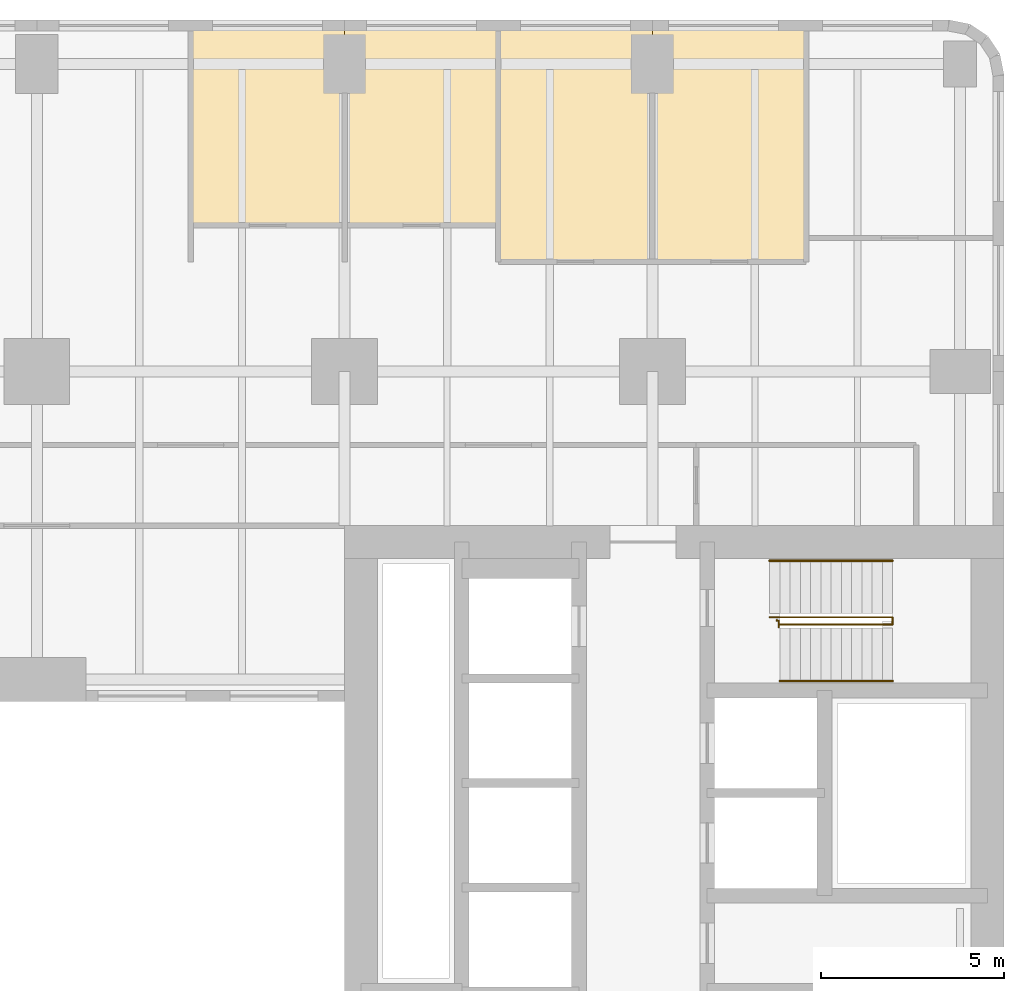
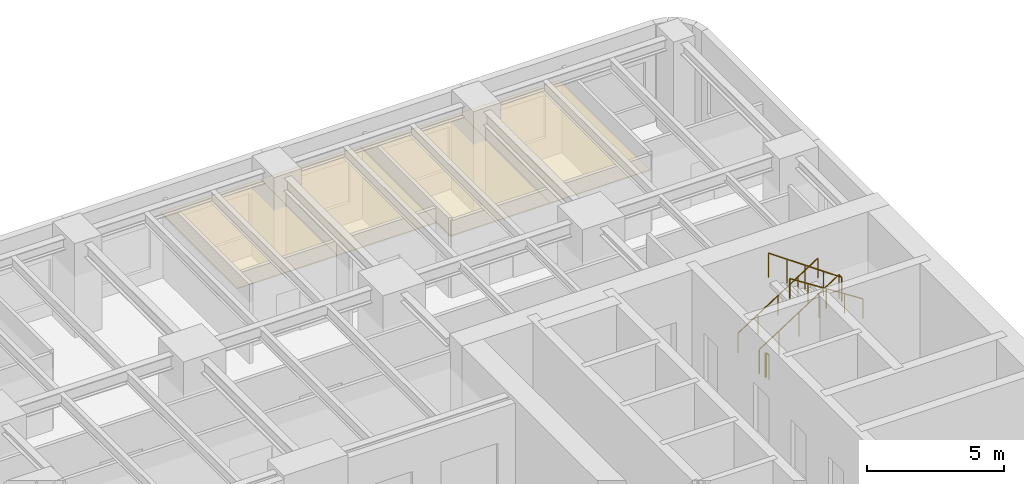
# One storey, part 14 of 14: 4 coverings, 4 railings.
"""IFC4 building model written with IfcOpenShell, lengths in metres."""

from ifc_helpers import new_model, si_unit, direction, frame, origin, origin_2d, place, context, subcontext, project, spatial, polyline, circle, outline, extrude, material, layer, layer_set, type_object, element, save


model = new_model("IFC4")

# Units and contexts
model_context = context("Model", 3, precision=1e-05, world=origin(), true_north=direction((0.0, 1.0)))
body_context = subcontext(model_context, "Body", "Model", "MODEL_VIEW")
ifc_project = project(units=[si_unit("LENGTHUNIT", "METRE"), si_unit("AREAUNIT", "SQUARE_METRE"), si_unit("VOLUMEUNIT", "CUBIC_METRE"), si_unit("PLANEANGLEUNIT", "RADIAN"), si_unit("MASSUNIT", "GRAM", prefix="KILO")], contexts=[model_context])

# Site, building, storey
site_placement = place(None, origin())
site = spatial("IfcSite", under=ifc_project, at=site_placement, CompositionType="ELEMENT")
building_placement = place(site_placement, origin())
building = spatial("IfcBuilding", under=site, at=building_placement, Name="Claustro Exchange Tower", CompositionType="ELEMENT")
storey_placement = place(building_placement, frame((0.0, 0.0, 41.39990234375)))
storey = spatial("IfcBuildingStorey", under=building, at=storey_placement, Name="L09", CompositionType="ELEMENT", Elevation=41.39990234375)

# Coverings
ifc_material_1 = material(Name="Gypsum board ceiling", Category="gypsum board")
ifc_layer = layer(ifc_material_1, 0.02490234375)
ifc_layer_set = layer_set([ifc_layer], Name="Gypsum board ceiling")
covering_type = type_object("IfcCoveringType", Name="CL2 plasterboard ceiling", PredefinedType="CEILING", material=ifc_layer_set)
covering_1_placement = place(storey_placement, frame((0.0, 0.0, 3.0)))
element("IfcCovering", 1, at=covering_1_placement, inside=storey, type_object=covering_type, Name="Ceiling CL2 L09-16", PredefinedType="CEILING", context=body_context, shape_type="SweptSolid", body=[
    extrude(outline(polyline([(42.0, 51.60009765625), (37.800048828125, 51.60009765625), (37.800048828125, 45.0), (42.0, 45.0), (42.0, 51.60009765625)])), origin(), (0.0, 0.0, 1.0), 0.025146484375),
])
covering_2_placement = place(storey_placement, frame((0.0, 0.0, 3.0)))
element("IfcCovering", 2, at=covering_2_placement, inside=storey, type_object=covering_type, Name="Ceiling CL2 L09-17", PredefinedType="CEILING", context=body_context, shape_type="SweptSolid", body=[
    extrude(outline(polyline([(46.199951171875, 51.60009765625), (42.0, 51.60009765625), (42.0, 45.0), (46.199951171875, 45.0), (46.199951171875, 51.60009765625)])), origin(), (0.0, 0.0, 1.0), 0.025146484375),
])
covering_3_placement = place(storey_placement, frame((0.0, 0.0, 3.0)))
element("IfcCovering", 3, at=covering_3_placement, inside=storey, type_object=covering_type, Name="Ceiling CL2 L09-20", PredefinedType="CEILING", context=body_context, shape_type="SweptSolid", body=[
    extrude(outline(polyline([(33.60009765625, 51.60009765625), (29.39990234375, 51.60009765625), (29.39990234375, 46.0), (33.60009765625, 46.0), (33.60009765625, 51.60009765625)])), origin(), (0.0, 0.0, 1.0), 0.025146484375),
])
covering_4_placement = place(storey_placement, frame((0.0, 0.0, 3.0)))
element("IfcCovering", 4, at=covering_4_placement, inside=storey, type_object=covering_type, Name="Ceiling CL2 L09-21", PredefinedType="CEILING", context=body_context, shape_type="SweptSolid", body=[
    extrude(outline(polyline([(37.800048828125, 51.60009765625), (33.60009765625, 51.60009765625), (33.60009765625, 46.0), (37.800048828125, 46.0), (37.800048828125, 51.60009765625)])), origin(), (0.0, 0.0, 1.0), 0.025146484375),
])

# Railings
ifc_material_2 = material(Name="Steel balustrade, painted", Category="steel")
railing_type_1 = type_object("IfcRailingType", Name="GR2 1100 steel stair guard", PredefinedType="GUARDRAIL", material=ifc_material_2)
railing_1_placement = place(storey_placement, frame((45.199951171875, 35.300048828125, 0.18017578125)))
element("IfcRailing", 5, at=railing_1_placement, inside=storey, type_object=railing_type_1, Name="Stair well guard GR2 stair STEB L09", PredefinedType="GUARDRAIL", context=body_context, shape_type="SweptSolid", body=[
    extrude(circle(Radius=0.02392578125, at=origin_2d()), frame((0.0, 0.0, 1.076171875), z_axis=(0.84119634759, 0.0, 0.540729789082), x_axis=(0.0, 1.0, 0.0)), (0.0, 0.0, 1.0), 3.994384765625),
    extrude(circle(Radius=0.02392578125, at=origin_2d()), frame((3.360107421875, 0.0, 3.23583984375), z_axis=(0.0, -1.0, 0.0), x_axis=(1.0, 0.0, 0.0)), (0.0, 0.0, 1.0), 0.199951171875),
    extrude(circle(Radius=0.02392578125, at=origin_2d()), frame((3.360107421875, -0.199951171875, 3.23583984375), z_axis=(-0.8187499073, 0.0, 0.574150319426), x_axis=(0.0, -1.0, 0.0)), (0.0, 0.0, 1.0), 3.761962890625),
    extrude(circle(Radius=0.02099609375, at=origin_2d()), origin(), (0.0, 0.0, 1.0), 1.052001953125),
    extrude(circle(Radius=0.02099609375, at=origin_2d()), frame((0.840087890625, 0.0, 0.5400390625)), (0.0, 0.0, 1.0), 1.052001953125),
    extrude(circle(Radius=0.02099609375, at=origin_2d()), frame((1.68017578125, 0.0, 1.080078125)), (0.0, 0.0, 1.0), 1.052001953125),
    extrude(circle(Radius=0.02099609375, at=origin_2d()), frame((2.52001953125, 0.0, 1.619873046875)), (0.0, 0.0, 1.0), 1.052001953125),
    extrude(circle(Radius=0.02099609375, at=origin_2d()), frame((3.360107421875, 0.0, 2.159912109375)), (0.0, 0.0, 1.0), 1.052001953125),
    extrude(circle(Radius=0.02099609375, at=origin_2d()), frame((3.360107421875, -0.199951171875, 2.159912109375)), (0.0, 0.0, 1.0), 1.052001953125),
    extrude(circle(Radius=0.02099609375, at=origin_2d()), frame((2.590087890625, -0.199951171875, 2.699951171875)), (0.0, 0.0, 1.0), 1.052001953125),
    extrude(circle(Radius=0.02099609375, at=origin_2d()), frame((1.820068359375, -0.199951171875, 3.23974609375)), (0.0, 0.0, 1.0), 1.052001953125),
    extrude(circle(Radius=0.02099609375, at=origin_2d()), frame((1.050048828125, -0.199951171875, 3.77978515625)), (0.0, 0.0, 1.0), 1.052001953125),
    extrude(circle(Radius=0.02099609375, at=origin_2d()), frame((0.280029296875, -0.199951171875, 4.31982421875)), (0.0, 0.0, 1.0), 1.052001953125),
])
railing_2_placement = place(storey_placement, frame((45.39990234375, 35.22998046875, 0.0)))
element("IfcRailing", 6, at=railing_2_placement, inside=storey, type_object=railing_type_1, Name="Stair guard GR2 STEB L09", PredefinedType="GUARDRAIL", context=body_context, shape_type="SweptSolid", body=[
    extrude(circle(Radius=0.02392578125, at=origin_2d()), frame((0.0, 0.0, 1.076171875), z_axis=(0.0, -1.0, 0.0), x_axis=(1.0, 0.0, 0.0)), (0.0, 0.0, 1.0), 0.030029296875),
    extrude(circle(Radius=0.02392578125, at=origin_2d()), frame((0.0, -0.030029296875, 1.076171875), z_axis=(1.0, 0.0, 0.0), x_axis=(0.0, 1.0, 0.0)), (0.0, 0.0, 1.0), 0.05517578125),
    extrude(circle(Radius=0.02392578125, at=origin_2d()), frame((0.05517578125, -0.030029296875, 1.076171875), z_axis=(0.0, -1.0, 0.0), x_axis=(1.0, 0.0, 0.0)), (0.0, 0.0, 1.0), 0.179931640625),
    extrude(circle(Radius=0.02099609375, at=origin_2d()), origin(), (0.0, 0.0, 1.0), 1.052001953125),
    extrude(circle(Radius=0.02099609375, at=origin_2d()), frame((0.0, -0.030029296875, 0.0)), (0.0, 0.0, 1.0), 1.052001953125),
    extrude(circle(Radius=0.02099609375, at=origin_2d()), frame((0.05517578125, -0.030029296875, 0.0)), (0.0, 0.0, 1.0), 1.052001953125),
    extrude(circle(Radius=0.02099609375, at=origin_2d()), frame((0.05517578125, -0.2099609375, 0.0)), (0.0, 0.0, 1.0), 1.052001953125),
])
ifc_material_3 = material(Name="Stainless steel tube", Category="steel")
railing_type_2 = type_object("IfcRailingType", Name="HR1 900 stair handrail", PredefinedType="HANDRAIL", material=ifc_material_3)
railing_3_placement = place(storey_placement, frame((45.199951171875, 36.840087890625, 0.18017578125)))
element("IfcRailing", 7, at=railing_3_placement, inside=storey, type_object=railing_type_2, Name="Handrail HR1 stair STEB L09", PredefinedType="HANDRAIL", context=body_context, shape_type="SweptSolid", body=[
    extrude(circle(Radius=0.02392578125, at=origin_2d()), frame((0.0, 0.0, 0.8759765625), z_axis=(0.84119634759, 0.0, 0.540729789082), x_axis=(0.0, 1.0, 0.0)), (0.0, 0.0, 1.0), 3.994384765625),
    extrude(circle(Radius=0.02099609375, at=origin_2d()), origin(), (0.0, 0.0, 1.0), 0.851806640625),
    extrude(circle(Radius=0.02099609375, at=origin_2d()), frame((0.840087890625, 0.0, 0.5400390625)), (0.0, 0.0, 1.0), 0.851806640625),
    extrude(circle(Radius=0.02099609375, at=origin_2d()), frame((1.68017578125, 0.0, 1.080078125)), (0.0, 0.0, 1.0), 0.851806640625),
    extrude(circle(Radius=0.02099609375, at=origin_2d()), frame((2.52001953125, 0.0, 1.619873046875)), (0.0, 0.0, 1.0), 0.851806640625),
    extrude(circle(Radius=0.02099609375, at=origin_2d()), frame((3.360107421875, 0.0, 2.159912109375)), (0.0, 0.0, 1.0), 0.851806640625),
])
railing_4_placement = place(storey_placement, frame((48.56005859375, 33.56005859375, 2.52001953125)))
element("IfcRailing", 8, at=railing_4_placement, inside=storey, type_object=railing_type_2, Name="Handrail HR1 stair STEB L09", PredefinedType="HANDRAIL", context=body_context, shape_type="SweptSolid", body=[
    extrude(circle(Radius=0.02392578125, at=origin_2d()), frame((0.0, 0.0, 0.8759765625), z_axis=(-0.84118714077, 0.0, 0.540744111576), x_axis=(0.0, -1.0, 0.0)), (0.0, 0.0, 1.0), 3.66162109375),
    extrude(circle(Radius=0.02099609375, at=origin_2d()), origin(), (0.0, 0.0, 1.0), 0.851806640625),
    extrude(circle(Radius=0.02099609375, at=origin_2d()), frame((-0.77001953125, 0.0, 0.4951171875)), (0.0, 0.0, 1.0), 0.851806640625),
    extrude(circle(Radius=0.02099609375, at=origin_2d()), frame((-1.5400390625, 0.0, 0.989990234375)), (0.0, 0.0, 1.0), 0.851806640625),
    extrude(circle(Radius=0.02099609375, at=origin_2d()), frame((-2.31005859375, 0.0, 1.48486328125)), (0.0, 0.0, 1.0), 0.851806640625),
    extrude(circle(Radius=0.02099609375, at=origin_2d()), frame((-3.080078125, 0.0, 1.97998046875)), (0.0, 0.0, 1.0), 0.851806640625),
])

save(model, "model.ifc")
